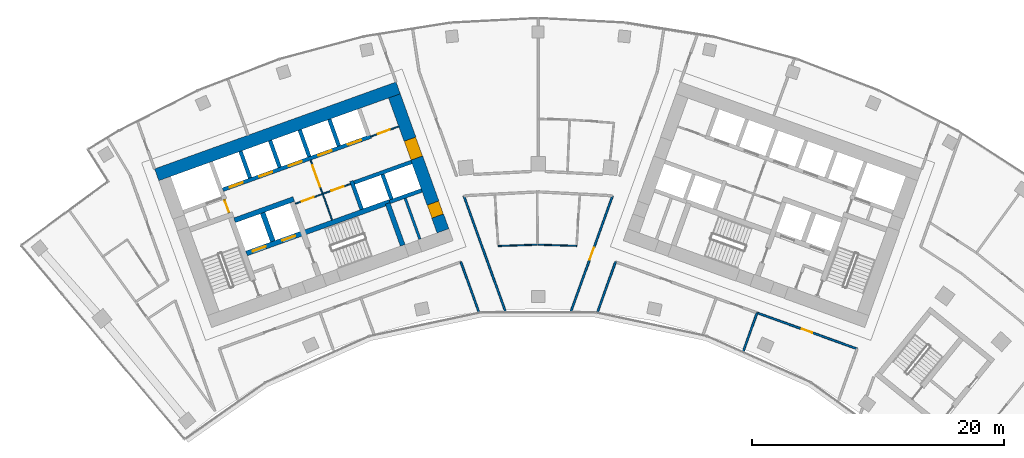
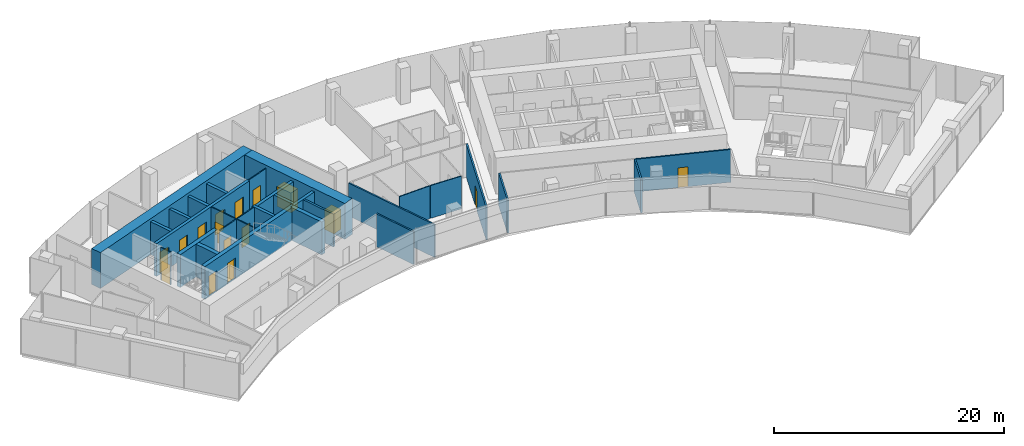
# One storey, part 11 of 16: 28 walls, 16 doors, 16 openings.
"""IFC4 building model written with IfcOpenShell, lengths in metres."""

from ifc_helpers import new_model, si_unit, direction, frame, frame_2d, origin, place, context, subcontext, project, spatial, rectangle, extrude, material, layer, layer_set, type_object, element, fill, save


model = new_model("IFC4")

# Units and contexts
model_context = context("Model", 3, precision=1e-05, world=origin(), true_north=direction((0.0, 1.0)))
body_context = subcontext(model_context, "Body", "Model", "MODEL_VIEW")
ifc_project = project(units=[si_unit("LENGTHUNIT", "METRE"), si_unit("AREAUNIT", "SQUARE_METRE"), si_unit("VOLUMEUNIT", "CUBIC_METRE"), si_unit("PLANEANGLEUNIT", "RADIAN"), si_unit("MASSUNIT", "GRAM", prefix="KILO")], contexts=[model_context])

# Site, building, storey
site_placement = place(None, origin())
site = spatial("IfcSite", under=ifc_project, at=site_placement, CompositionType="ELEMENT")
building_placement = place(site_placement, origin())
building = spatial("IfcBuilding", under=site, at=building_placement, Name="Stone Belt Terrace Tower", CompositionType="ELEMENT")
storey_placement = place(building_placement, frame((0.0, 0.0, 242.800048828125)))
storey = spatial("IfcBuildingStorey", under=building, at=storey_placement, Name="L59", CompositionType="ELEMENT", Elevation=242.800048828125)

# Wall, opening, door
ifc_material_1 = material(Name="Plasterboard partition")
ifc_layer_1 = layer(ifc_material_1, 0.10009765625)
ifc_layer_set_1 = layer_set([ifc_layer_1], Name="Core partition 100")
wall_type_1 = type_object("IfcWallType", Name="Core partition 100", PredefinedType="PARTITIONING", material=ifc_layer_set_1)
wall_1_placement = place(storey_placement, frame((-24.555908203125, 51.10400390625, 0.0), z_axis=(0.0, 0.0, 1.0), x_axis=(-0.338621735342, 0.94092258999, 0.0)))
wall_1 = element("IfcWall", 1, at=wall_1_placement, inside=storey, type_object=wall_type_1, Name="Core A wall", PredefinedType="PARTITIONING", context=body_context, shape_type="SweptSolid", body=[
    extrude(rectangle(XDim=1.14990234375, YDim=0.10009765625, at=frame_2d((0.574951171875, 0.0))), origin(), (0.0, 0.0, 1.0), 3.47998046875),
])
opening_1_placement = place(wall_1_placement, frame((0.050048828125, 0.0, 0.0)))
opening_1 = element("IfcOpeningElement", 2, at=opening_1_placement, cuts=wall_1, Name="Opening L59-C05", PredefinedType="OPENING", context=body_context, shape_type="SweptSolid", body=[
    extrude(rectangle(XDim=1.0, YDim=2.10009765625, at=frame_2d((0.5, 1.050048828125))), frame((0.0, 0.06005859375, 0.0), z_axis=(0.0, -1.0, 0.0), x_axis=(1.0, 0.0, 0.0)), (0.0, 0.0, 1.0), 0.1201171875),
])
ifc_material_2 = material(Name="Timber door leaf", Category="wood")
door_type_1 = type_object("IfcDoorType", Name="Core room door 1000", OperationType="SINGLE_SWING_LEFT", PredefinedType="DOOR", material=ifc_material_2)
door_1_placement = place(opening_1_placement, origin())
door_1 = element("IfcDoor", 3, at=door_1_placement, inside=storey, type_object=door_type_1, Name="Service lift lobby door core A", OperationType="SINGLE_SWING_LEFT", OverallHeight=2.10009765625, OverallWidth=1.0, PredefinedType="DOOR", context=body_context, shape_type="SweptSolid", body=[
    extrude(rectangle(XDim=1.0, YDim=2.10009765625, at=frame_2d((0.5, 1.050048828125))), frame((0.0, 0.02490234375, 0.0), z_axis=(0.0, -1.0, 0.0), x_axis=(1.0, 0.0, 0.0)), (0.0, 0.0, 1.0), 0.050048828125),
])
fill(opening_1, door_1)

# Wall, openings, doors
wall_2_placement = place(storey_placement, frame((-19.29052734375, 51.829833984375, 0.0), z_axis=(0.0, 0.0, 1.0), x_axis=(0.940930240745, 0.338600475563, 0.0)))
wall_2 = element("IfcWall", 4, at=wall_2_placement, inside=storey, type_object=wall_type_1, Name="Core A wall", PredefinedType="PARTITIONING", context=body_context, shape_type="SweptSolid", body=[
    extrude(rectangle(XDim=4.64990234375, YDim=0.10009765625, at=frame_2d((2.324951171875, 0.0))), origin(), (0.0, 0.0, 1.0), 3.47998046875),
])
opening_2_placement = place(wall_2_placement, frame((0.550048828125, 0.0, 0.0)))
opening_2 = element("IfcOpeningElement", 5, at=opening_2_placement, cuts=wall_2, Name="Opening L59-C02", PredefinedType="OPENING", context=body_context, shape_type="SweptSolid", body=[
    extrude(rectangle(XDim=1.0, YDim=2.10009765625, at=frame_2d((0.5, 1.050048828125))), frame((0.0, 0.06005859375, 0.0), z_axis=(0.0, -1.0, 0.0), x_axis=(1.0, 0.0, 0.0)), (0.0, 0.0, 1.0), 0.1201171875),
])
opening_3_placement = place(wall_2_placement, frame((3.050048828125, 0.0, 0.0)))
opening_3 = element("IfcOpeningElement", 6, at=opening_3_placement, cuts=wall_2, Name="Opening L59-C03", PredefinedType="OPENING", context=body_context, shape_type="SweptSolid", body=[
    extrude(rectangle(XDim=1.0, YDim=2.10009765625, at=frame_2d((0.5, 1.050048828125))), frame((0.0, 0.06005859375, 0.0), z_axis=(0.0, -1.0, 0.0), x_axis=(1.0, 0.0, 0.0)), (0.0, 0.0, 1.0), 0.1201171875),
])
door_2_placement = place(opening_2_placement, origin())
door_2 = element("IfcDoor", 7, at=door_2_placement, inside=storey, type_object=door_type_1, Name="Door to Print and copy room core A", OperationType="SINGLE_SWING_LEFT", OverallHeight=2.10009765625, OverallWidth=1.0, PredefinedType="DOOR", context=body_context, shape_type="SweptSolid", body=[
    extrude(rectangle(XDim=1.0, YDim=2.10009765625, at=frame_2d((0.5, 1.050048828125))), frame((0.0, 0.02490234375, 0.0), z_axis=(0.0, -1.0, 0.0), x_axis=(1.0, 0.0, 0.0)), (0.0, 0.0, 1.0), 0.050048828125),
])
fill(opening_2, door_2)
door_3_placement = place(opening_3_placement, origin())
door_3 = element("IfcDoor", 8, at=door_3_placement, inside=storey, type_object=door_type_1, Name="Door to Pantry core A", OperationType="SINGLE_SWING_RIGHT", OverallHeight=2.10009765625, OverallWidth=1.0, PredefinedType="DOOR", context=body_context, shape_type="SweptSolid", body=[
    extrude(rectangle(XDim=1.0, YDim=2.10009765625, at=frame_2d((0.5, 1.050048828125))), frame((0.0, 0.02490234375, 0.0), z_axis=(0.0, -1.0, 0.0), x_axis=(1.0, 0.0, 0.0)), (0.0, 0.0, 1.0), 0.050048828125),
])
fill(opening_3, door_3)

# Wall, opening, door
wall_3_placement = place(storey_placement, frame((-16.38134765625, 50.53857421875, 0.0), z_axis=(0.0, 0.0, 1.0), x_axis=(-0.33860476744, 0.940928696271, 0.0)))
wall_3 = element("IfcWall", 9, at=wall_3_placement, inside=storey, type_object=wall_type_1, Name="Core A wall", PredefinedType="PARTITIONING", context=body_context, shape_type="SweptSolid", body=[
    extrude(rectangle(XDim=5.050048828125, YDim=0.10009765625, at=frame_2d((2.52490234375, 0.0))), origin(), (0.0, 0.0, 1.0), 3.47998046875),
])
opening_4_placement = place(wall_3_placement, frame((2.800048828125, 0.0, 0.0)))
opening_4 = element("IfcOpeningElement", 10, at=opening_4_placement, cuts=wall_3, Name="Opening L59-C06", PredefinedType="OPENING", context=body_context, shape_type="SweptSolid", body=[
    extrude(rectangle(XDim=1.800048828125, YDim=2.10009765625, at=frame_2d((0.89990234375, 1.050048828125))), frame((0.0, 0.06005859375, 0.0), z_axis=(0.0, -1.0, 0.0), x_axis=(1.0, 0.0, 0.0)), (0.0, 0.0, 1.0), 0.1201171875),
])
ifc_material_3 = material(Name="Glazed aluminium door leaf", Category="aluminium")
door_type_2 = type_object("IfcDoorType", Name="Lift lobby entrance door 1800", OperationType="DOUBLE_DOOR_SINGLE_SWING", PredefinedType="DOOR", material=ifc_material_3)
door_4_placement = place(opening_4_placement, origin())
door_4 = element("IfcDoor", 11, at=door_4_placement, inside=storey, type_object=door_type_2, Name="Lift lobby double door core A", OperationType="DOUBLE_DOOR_SINGLE_SWING", OverallHeight=2.10009765625, OverallWidth=1.800048828125, PredefinedType="DOOR", context=body_context, shape_type="SweptSolid", body=[
    extrude(rectangle(XDim=1.800048828125, YDim=2.10009765625, at=frame_2d((0.89990234375, 1.050048828125))), frame((0.0, 0.02490234375, 0.0), z_axis=(0.0, -1.0, 0.0), x_axis=(1.0, 0.0, 0.0)), (0.0, 0.0, 1.0), 0.050048828125),
])
fill(opening_4, door_4)

wall_4_placement = place(storey_placement, frame((-13.29638671875, 57.17529296875, 0.0), z_axis=(0.0, 0.0, 1.0), x_axis=(0.940904627055, 0.338671644496, 0.0)))
wall_4 = element("IfcWall", 12, at=wall_4_placement, inside=storey, type_object=wall_type_1, Name="Core A wall", PredefinedType="PARTITIONING", context=body_context, shape_type="SweptSolid", body=[
    extrude(rectangle(XDim=2.35009765625, YDim=0.10009765625, at=frame_2d((1.175048828125, 0.0))), origin(), (0.0, 0.0, 1.0), 3.47998046875),
])
opening_5_placement = place(wall_4_placement, frame((0.60009765625, 0.0, 0.0)))
opening_5 = element("IfcOpeningElement", 13, at=opening_5_placement, cuts=wall_4, Name="Opening L59-C01", PredefinedType="OPENING", context=body_context, shape_type="SweptSolid", body=[
    extrude(rectangle(XDim=1.0, YDim=2.10009765625, at=frame_2d((0.5, 1.050048828125))), frame((0.0, 0.06005859375, 0.0), z_axis=(0.0, -1.0, 0.0), x_axis=(1.0, 0.0, 0.0)), (0.0, 0.0, 1.0), 0.1201171875),
])
door_5_placement = place(opening_5_placement, origin())
door_5 = element("IfcDoor", 14, at=door_5_placement, inside=storey, type_object=door_type_1, Name="Door to Communications hub room core A", OperationType="SINGLE_SWING_LEFT", OverallHeight=2.10009765625, OverallWidth=1.0, PredefinedType="DOOR", context=body_context, shape_type="SweptSolid", body=[
    extrude(rectangle(XDim=1.0, YDim=2.10009765625, at=frame_2d((0.5, 1.050048828125))), frame((0.0, 0.02490234375, 0.0), z_axis=(0.0, -1.0, 0.0), x_axis=(1.0, 0.0, 0.0)), (0.0, 0.0, 1.0), 0.050048828125),
])
fill(opening_5, door_5)

# Wall
ifc_material_4 = material(Name="Concrete B60", Category="concrete")
ifc_layer_2 = layer(ifc_material_4, 1.0)
ifc_layer_set_2 = layer_set([ifc_layer_2], Name="Core wall 1000 B60")
wall_type_2 = type_object("IfcWallType", Name="Core wall 1000 B60", PredefinedType="SHEAR", material=ifc_layer_set_2)
wall_5_placement = place(storey_placement, frame((-30.3212890625, 54.13037109375, 0.0), z_axis=(0.0, 0.0, 1.0), x_axis=(0.940921428504, 0.338624962727, 0.0)))
element("IfcWall", 15, at=wall_5_placement, inside=storey, type_object=wall_type_2, Name="Core A wall convex L59", PredefinedType="SHEAR", context=body_context, shape_type="SweptSolid", body=[
    extrude(rectangle(XDim=20.400146484375, YDim=1.0, at=frame_2d((10.2001953125, 0.0))), origin(), (0.0, 0.0, 1.0), 3.800048828125),
])

# Wall, openings, doors
wall_6_placement = place(storey_placement, frame((-7.567138671875, 49.672119140625, 0.0), z_axis=(0.0, 0.0, 1.0), x_axis=(-0.338625431531, 0.940921259788, 0.0)))
wall_6 = element("IfcWall", 16, at=wall_6_placement, inside=storey, type_object=wall_type_2, Name="Core A wall end_b L59", PredefinedType="SHEAR", context=body_context, shape_type="SweptSolid", body=[
    extrude(rectangle(XDim=11.400146484375, YDim=1.0, at=frame_2d((5.7001953125, 0.0))), origin(), (0.0, 0.0, 1.0), 3.800048828125),
])
opening_6_placement = place(wall_6_placement, frame((6.14990234375, 0.0, 0.0)))
opening_6 = element("IfcOpeningElement", 17, at=opening_6_placement, cuts=wall_6, Name="Opening L59-C07", PredefinedType="OPENING", context=body_context, shape_type="SweptSolid", body=[
    extrude(rectangle(XDim=1.60009765625, YDim=2.10009765625, at=frame_2d((0.800048828125, 1.050048828125))), frame((0.0, 0.510009765625, 0.0), z_axis=(0.0, -1.0, 0.0), x_axis=(1.0, 0.0, 0.0)), (0.0, 0.0, 1.0), 1.02001953125),
])
opening_7_placement = place(wall_6_placement, frame((1.25, 0.0, 0.0)))
opening_7 = element("IfcOpeningElement", 18, at=opening_7_placement, cuts=wall_6, Name="Opening L59-C13", PredefinedType="OPENING", context=body_context, shape_type="SweptSolid", body=[
    extrude(rectangle(XDim=1.10009765625, YDim=2.10009765625, at=frame_2d((0.550048828125, 1.050048828125))), frame((0.0, 0.510009765625, 0.0), z_axis=(0.0, -1.0, 0.0), x_axis=(1.0, 0.0, 0.0)), (0.0, 0.0, 1.0), 1.02001953125),
])
door_type_3 = type_object("IfcDoorType", Name="Core room door 1100", OperationType="SINGLE_SWING_LEFT", PredefinedType="DOOR", material=ifc_material_2)
door_6_placement = place(opening_7_placement, origin())
door_6 = element("IfcDoor", 19, at=door_6_placement, inside=storey, type_object=door_type_3, Name="Door to Cleaner's store core A", OperationType="SINGLE_SWING_RIGHT", OverallHeight=2.10009765625, OverallWidth=1.10009765625, PredefinedType="DOOR", context=body_context, shape_type="SweptSolid", body=[
    extrude(rectangle(XDim=1.10009765625, YDim=2.10009765625, at=frame_2d((0.550048828125, 1.050048828125))), frame((0.0, 0.47998046875, 0.0), z_axis=(0.0, -1.0, 0.0), x_axis=(1.0, 0.0, 0.0)), (0.0, 0.0, 1.0), 0.9599609375),
])
fill(opening_7, door_6)
door_type_4 = type_object("IfcDoorType", Name="Lift lobby entrance door 1600", OperationType="DOUBLE_DOOR_SINGLE_SWING", PredefinedType="DOOR", material=ifc_material_3)
door_7_placement = place(opening_6_placement, origin())
door_7 = element("IfcDoor", 20, at=door_7_placement, inside=storey, type_object=door_type_4, Name="Lift lobby entrance door core A", OperationType="DOUBLE_DOOR_SINGLE_SWING", OverallHeight=2.10009765625, OverallWidth=1.60009765625, PredefinedType="DOOR", context=body_context, shape_type="SweptSolid", body=[
    extrude(rectangle(XDim=1.60009765625, YDim=2.10009765625, at=frame_2d((0.800048828125, 1.050048828125))), frame((0.0, 0.47998046875, 0.0), z_axis=(0.0, -1.0, 0.0), x_axis=(1.0, 0.0, 0.0)), (0.0, 0.0, 1.0), 0.9599609375),
])
fill(opening_6, door_7)

# Walls
ifc_material_5 = material(Name="Concrete B80", Category="concrete")
ifc_layer_3 = layer(ifc_material_5, 0.39990234375)
ifc_layer_set_3 = layer_set([ifc_layer_3], Name="Fire-fighting lift shaft wall 400")
wall_type_3 = type_object("IfcWallType", Name="Fire-fighting lift shaft wall 400", PredefinedType="SHEAR", material=ifc_layer_set_3)
wall_7_placement = place(storey_placement, frame((-24.130615234375, 50.512939453125, 0.0), z_axis=(0.0, 0.0, 1.0), x_axis=(0.94091168377, 0.338652038744, 0.0)))
element("IfcWall", 21, at=wall_7_placement, inside=storey, type_object=wall_type_3, Name="Core A wall", PredefinedType="SHEAR", context=body_context, shape_type="SweptSolid", body=[
    extrude(rectangle(XDim=5.000244140625, YDim=0.39990234375, at=frame_2d((2.5, 0.0))), origin(), (0.0, 0.0, 1.0), 3.47998046875),
])
wall_8_placement = place(storey_placement, frame((-21.0859375, 48.845458984375, 0.0), z_axis=(0.0, 0.0, 1.0), x_axis=(-0.338629416206, 0.940919825745, 0.0)))
element("IfcWall", 22, at=wall_8_placement, inside=storey, type_object=wall_type_3, Name="Core A wall", PredefinedType="SHEAR", context=body_context, shape_type="SweptSolid", body=[
    extrude(rectangle(XDim=2.400146484375, YDim=0.39990234375, at=frame_2d((1.2001953125, 0.0))), origin(), (0.0, 0.0, 1.0), 3.47998046875),
])

# Wall, openings, doors
ifc_layer_4 = layer(ifc_material_5, 0.300048828125)
ifc_layer_set_4 = layer_set([ifc_layer_4], Name="Lift shaft wall 300")
wall_type_4 = type_object("IfcWallType", Name="Lift shaft wall 300", PredefinedType="SHEAR", material=ifc_layer_set_4)
wall_9_placement = place(storey_placement, frame((-25.05810546875, 52.9423828125, 0.0), z_axis=(0.0, 0.0, 1.0), x_axis=(0.940920770291, 0.338626791666, 0.0)))
wall_9 = element("IfcWall", 23, at=wall_9_placement, inside=storey, type_object=wall_type_4, Name="Core A wall", PredefinedType="SHEAR", context=body_context, shape_type="SweptSolid", body=[
    extrude(rectangle(XDim=12.500244140625, YDim=0.300048828125, at=frame_2d((6.25, 0.0))), origin(), (0.0, 0.0, 1.0), 3.47998046875),
])
opening_8_placement = place(wall_9_placement, frame((0.570068359375, 0.0, 0.0)))
opening_8 = element("IfcOpeningElement", 24, at=opening_8_placement, cuts=wall_9, Name="Opening L59-LD01", PredefinedType="OPENING", context=body_context, shape_type="SweptSolid", body=[
    extrude(rectangle(XDim=1.10009765625, YDim=2.199951171875, at=frame_2d((0.550048828125, 1.10009765625))), frame((0.0, 0.159912109375, 0.0), z_axis=(0.0, -1.0, 0.0), x_axis=(1.0, 0.0, 0.0)), (0.0, 0.0, 1.0), 0.320068359375),
])
opening_9_placement = place(wall_9_placement, frame((3.070068359375, 0.0, 0.0)))
opening_9 = element("IfcOpeningElement", 25, at=opening_9_placement, cuts=wall_9, Name="Opening L59-LD02", PredefinedType="OPENING", context=body_context, shape_type="SweptSolid", body=[
    extrude(rectangle(XDim=1.10009765625, YDim=2.199951171875, at=frame_2d((0.550048828125, 1.10009765625))), frame((0.0, 0.159912109375, 0.0), z_axis=(0.0, -1.0, 0.0), x_axis=(1.0, 0.0, 0.0)), (0.0, 0.0, 1.0), 0.320068359375),
])
opening_10_placement = place(wall_9_placement, frame((5.570068359375, 0.0, 0.0)))
opening_10 = element("IfcOpeningElement", 26, at=opening_10_placement, cuts=wall_9, Name="Opening L59-LD03", PredefinedType="OPENING", context=body_context, shape_type="SweptSolid", body=[
    extrude(rectangle(XDim=1.10009765625, YDim=2.199951171875, at=frame_2d((0.550048828125, 1.10009765625))), frame((0.0, 0.159912109375, 0.0), z_axis=(0.0, -1.0, 0.0), x_axis=(1.0, 0.0, 0.0)), (0.0, 0.0, 1.0), 0.320068359375),
])
opening_11_placement = place(wall_9_placement, frame((8.070068359375, 0.0, 0.0)))
opening_11 = element("IfcOpeningElement", 27, at=opening_11_placement, cuts=wall_9, Name="Opening L59-LD04", PredefinedType="OPENING", context=body_context, shape_type="SweptSolid", body=[
    extrude(rectangle(XDim=1.10009765625, YDim=2.199951171875, at=frame_2d((0.550048828125, 1.10009765625))), frame((0.0, 0.159912109375, 0.0), z_axis=(0.0, -1.0, 0.0), x_axis=(1.0, 0.0, 0.0)), (0.0, 0.0, 1.0), 0.320068359375),
])
opening_12_placement = place(wall_9_placement, frame((10.570068359375, 0.0, 0.0)))
opening_12 = element("IfcOpeningElement", 28, at=opening_12_placement, cuts=wall_9, Name="Opening L59-LD05", PredefinedType="OPENING", context=body_context, shape_type="SweptSolid", body=[
    extrude(rectangle(XDim=1.10009765625, YDim=2.199951171875, at=frame_2d((0.550048828125, 1.10009765625))), frame((0.0, 0.159912109375, 0.0), z_axis=(0.0, -1.0, 0.0), x_axis=(1.0, 0.0, 0.0)), (0.0, 0.0, 1.0), 0.320068359375),
])
ifc_material_6 = material(Name="Stainless steel door leaf", Category="steel")
door_type_5 = type_object("IfcDoorType", Name="Landing door 1100", OperationType="SLIDING_TO_LEFT", PredefinedType="DOOR", material=ifc_material_6)
door_8_placement = place(opening_8_placement, origin())
door_8 = element("IfcDoor", 29, at=door_8_placement, inside=storey, type_object=door_type_5, Name="Landing door MR1 core A", OperationType="SLIDING_TO_LEFT", OverallHeight=2.199951171875, OverallWidth=1.10009765625, PredefinedType="DOOR", context=body_context, shape_type="SweptSolid", body=[
    extrude(rectangle(XDim=1.10009765625, YDim=2.199951171875, at=frame_2d((0.550048828125, 1.10009765625))), frame((0.0, 0.02490234375, 0.0), z_axis=(0.0, -1.0, 0.0), x_axis=(1.0, 0.0, 0.0)), (0.0, 0.0, 1.0), 0.050048828125),
])
fill(opening_8, door_8)
door_9_placement = place(opening_9_placement, origin())
door_9 = element("IfcDoor", 30, at=door_9_placement, inside=storey, type_object=door_type_5, Name="Landing door MR2 core A", OperationType="SLIDING_TO_LEFT", OverallHeight=2.199951171875, OverallWidth=1.10009765625, PredefinedType="DOOR", context=body_context, shape_type="SweptSolid", body=[
    extrude(rectangle(XDim=1.10009765625, YDim=2.199951171875, at=frame_2d((0.550048828125, 1.10009765625))), frame((0.0, 0.02490234375, 0.0), z_axis=(0.0, -1.0, 0.0), x_axis=(1.0, 0.0, 0.0)), (0.0, 0.0, 1.0), 0.050048828125),
])
fill(opening_9, door_9)
door_10_placement = place(opening_10_placement, origin())
door_10 = element("IfcDoor", 31, at=door_10_placement, inside=storey, type_object=door_type_5, Name="Landing door MR3 core A", OperationType="SLIDING_TO_LEFT", OverallHeight=2.199951171875, OverallWidth=1.10009765625, PredefinedType="DOOR", context=body_context, shape_type="SweptSolid", body=[
    extrude(rectangle(XDim=1.10009765625, YDim=2.199951171875, at=frame_2d((0.550048828125, 1.10009765625))), frame((0.0, 0.02490234375, 0.0), z_axis=(0.0, -1.0, 0.0), x_axis=(1.0, 0.0, 0.0)), (0.0, 0.0, 1.0), 0.050048828125),
])
fill(opening_10, door_10)
door_11_placement = place(opening_11_placement, origin())
door_11 = element("IfcDoor", 32, at=door_11_placement, inside=storey, type_object=door_type_5, Name="Landing door MR4 core A", OperationType="SLIDING_TO_LEFT", OverallHeight=2.199951171875, OverallWidth=1.10009765625, PredefinedType="DOOR", context=body_context, shape_type="SweptSolid", body=[
    extrude(rectangle(XDim=1.10009765625, YDim=2.199951171875, at=frame_2d((0.550048828125, 1.10009765625))), frame((0.0, 0.02490234375, 0.0), z_axis=(0.0, -1.0, 0.0), x_axis=(1.0, 0.0, 0.0)), (0.0, 0.0, 1.0), 0.050048828125),
])
fill(opening_11, door_11)
door_12_placement = place(opening_12_placement, origin())
door_12 = element("IfcDoor", 33, at=door_12_placement, inside=storey, type_object=door_type_5, Name="Landing door MR5 core A", OperationType="SLIDING_TO_LEFT", OverallHeight=2.199951171875, OverallWidth=1.10009765625, PredefinedType="DOOR", context=body_context, shape_type="SweptSolid", body=[
    extrude(rectangle(XDim=1.10009765625, YDim=2.199951171875, at=frame_2d((0.550048828125, 1.10009765625))), frame((0.0, 0.02490234375, 0.0), z_axis=(0.0, -1.0, 0.0), x_axis=(1.0, 0.0, 0.0)), (0.0, 0.0, 1.0), 0.050048828125),
])
fill(opening_12, door_12)

# Walls
wall_10_placement = place(storey_placement, frame((-22.897705078125, 53.87939453125, 0.0), z_axis=(0.0, 0.0, 1.0), x_axis=(-0.338535034312, 0.940953787677, 0.0)))
element("IfcWall", 34, at=wall_10_placement, inside=storey, type_object=wall_type_4, Name="Core A wall", PredefinedType="SHEAR", context=body_context, shape_type="SweptSolid", body=[
    extrude(rectangle(XDim=2.25, YDim=0.300048828125, at=frame_2d((1.125, 0.0))), origin(), (0.0, 0.0, 1.0), 3.47998046875),
])
wall_11_placement = place(storey_placement, frame((-20.54541015625, 54.72607421875, 0.0), z_axis=(0.0, 0.0, 1.0), x_axis=(-0.338569601369, 0.940941350472, 0.0)))
element("IfcWall", 35, at=wall_11_placement, inside=storey, type_object=wall_type_4, Name="Core A wall", PredefinedType="SHEAR", context=body_context, shape_type="SweptSolid", body=[
    extrude(rectangle(XDim=2.249755859375, YDim=0.300048828125, at=frame_2d((1.125, 0.0))), origin(), (0.0, 0.0, 1.0), 3.47998046875),
])
wall_12_placement = place(storey_placement, frame((-18.193115234375, 55.572509765625, 0.0), z_axis=(0.0, 0.0, 1.0), x_axis=(-0.338535034312, 0.940953787677, 0.0)))
element("IfcWall", 36, at=wall_12_placement, inside=storey, type_object=wall_type_4, Name="Core A wall", PredefinedType="SHEAR", context=body_context, shape_type="SweptSolid", body=[
    extrude(rectangle(XDim=2.25, YDim=0.300048828125, at=frame_2d((1.125, 0.0))), origin(), (0.0, 0.0, 1.0), 3.47998046875),
])
wall_13_placement = place(storey_placement, frame((-14.029052734375, 51.38525390625, 0.0), z_axis=(0.0, 0.0, 1.0), x_axis=(-0.338661829791, 0.940908159728, 0.0)))
element("IfcWall", 37, at=wall_13_placement, inside=storey, type_object=wall_type_4, Name="Core A wall", PredefinedType="SHEAR", context=body_context, shape_type="SweptSolid", body=[
    extrude(rectangle(XDim=2.39990234375, YDim=0.300048828125, at=frame_2d((1.199951171875, 0.0))), origin(), (0.0, 0.0, 1.0), 3.47998046875),
])
wall_14_placement = place(storey_placement, frame((-14.6328125, 53.506103515625, 0.0), z_axis=(0.0, 0.0, 1.0), x_axis=(0.940931684323, 0.338596464007, 0.0)))
element("IfcWall", 38, at=wall_14_placement, inside=storey, type_object=wall_type_4, Name="Core A wall", PredefinedType="SHEAR", context=body_context, shape_type="SweptSolid", body=[
    extrude(rectangle(XDim=4.849609375, YDim=0.300048828125, at=frame_2d((2.4248046875, 0.0))), origin(), (0.0, 0.0, 1.0), 3.47998046875),
])
wall_15_placement = place(storey_placement, frame((-15.8408203125, 56.419189453125, 0.0), z_axis=(0.0, 0.0, 1.0), x_axis=(-0.338569601369, 0.940941350472, 0.0)))
element("IfcWall", 39, at=wall_15_placement, inside=storey, type_object=wall_type_4, Name="Core A wall", PredefinedType="SHEAR", context=body_context, shape_type="SweptSolid", body=[
    extrude(rectangle(XDim=2.249755859375, YDim=0.300048828125, at=frame_2d((1.125, 0.0))), origin(), (0.0, 0.0, 1.0), 3.47998046875),
])
wall_16_placement = place(storey_placement, frame((-11.797119140625, 51.975830078125, 0.0), z_axis=(0.0, 0.0, 1.0), x_axis=(0.940910465161, 0.33865542451, 0.0)))
element("IfcWall", 40, at=wall_16_placement, inside=storey, type_object=wall_type_4, Name="Core A wall", PredefinedType="SHEAR", context=body_context, shape_type="SweptSolid", body=[
    extrude(rectangle(XDim=2.69970703125, YDim=0.300048828125, at=frame_2d((1.349853515625, 0.0))), origin(), (0.0, 0.0, 1.0), 3.47998046875),
])
wall_17_placement = place(storey_placement, frame((-11.659912109375, 52.184814453125, 0.0), z_axis=(0.0, 0.0, 1.0), x_axis=(-0.338670064856, 0.940905195634, 0.0)))
element("IfcWall", 41, at=wall_17_placement, inside=storey, type_object=wall_type_4, Name="Core A wall", PredefinedType="SHEAR", context=body_context, shape_type="SweptSolid", body=[
    extrude(rectangle(XDim=2.099853515625, YDim=0.300048828125, at=frame_2d((1.0498046875, 0.0))), origin(), (0.0, 0.0, 1.0), 3.47998046875),
])
ifc_material_7 = material(Name="Gypsum board partition")
ifc_layer_5 = layer(ifc_material_7, 0.10009765625)
ifc_layer_set_5 = layer_set([ifc_layer_5], Name="PARTITION 100")
wall_type_5 = type_object("IfcWallType", Name="PARTITION 100", PredefinedType="PARTITIONING", material=ifc_layer_set_5)
wall_18_placement = place(storey_placement, frame((-3.176025390625, 48.470947265625, 0.0), z_axis=(0.0, 0.0, 1.0), x_axis=(0.999442381291, 0.033390514817, 0.0)))
element("IfcWall", 42, at=wall_18_placement, inside=storey, type_object=wall_type_5, Name="L59/wall/i072", PredefinedType="PARTITIONING", context=body_context, shape_type="SweptSolid", body=[
    extrude(rectangle(XDim=3.11474609375, YDim=0.10009765625, at=frame_2d((1.557373046875, 0.0))), origin(), (0.0, 0.0, 1.0), 3.47998046875),
])
wall_19_placement = place(storey_placement, frame((0.0, 48.574951171875, 0.0), z_axis=(0.0, 0.0, 1.0), x_axis=(0.999505892336, -0.031432008937, 0.0)))
element("IfcWall", 43, at=wall_19_placement, inside=storey, type_object=wall_type_5, Name="L59/wall/i073", PredefinedType="PARTITIONING", context=body_context, shape_type="SweptSolid", body=[
    extrude(rectangle(XDim=3.052490234375, YDim=0.10009765625, at=frame_2d((1.5263671875, 0.0))), origin(), (0.0, 0.0, 1.0), 3.47998046875),
])
ifc_layer_6 = layer(ifc_material_7, 0.14990234375)
ifc_layer_set_6 = layer_set([ifc_layer_6], Name="PARTITION 150 EI 60")
wall_type_6 = type_object("IfcWallType", Name="PARTITION 150 EI 60", PredefinedType="PARTITIONING", material=ifc_layer_set_6)
wall_20_placement = place(storey_placement, frame((-4.71923828125, 43.23681640625, 0.0), z_axis=(0.0, 0.0, 1.0), x_axis=(-0.338568067537, 0.940941902374, 0.0)))
element("IfcWall", 44, at=wall_20_placement, inside=storey, type_object=wall_type_6, Name="L59/wall/i006", PredefinedType="PARTITIONING", context=body_context, shape_type="SweptSolid", body=[
    extrude(rectangle(XDim=4.2255859375, YDim=0.14990234375, at=frame_2d((2.11279296875, 0.0))), origin(), (0.0, 0.0, 1.0), 3.47998046875),
])
wall_21_placement = place(storey_placement, frame((-5.906005859375, 52.44091796875, 0.0), z_axis=(0.0, 0.0, 1.0), x_axis=(0.338646800778, -0.940913568997, 0.0)))
element("IfcWall", 45, at=wall_21_placement, inside=storey, type_object=wall_type_6, Name="L59/wall/i008", PredefinedType="PARTITIONING", context=body_context, shape_type="SweptSolid", body=[
    extrude(rectangle(XDim=9.755615234375, YDim=0.14990234375, at=frame_2d((4.8779296875, 0.0))), origin(), (0.0, 0.0, 1.0), 3.47998046875),
])
wall_22_placement = place(storey_placement, frame((6.14990234375, 47.212890625, 0.0), z_axis=(0.0, 0.0, 1.0), x_axis=(-0.338568067537, -0.940941902374, 0.0)))
element("IfcWall", 46, at=wall_22_placement, inside=storey, type_object=wall_type_6, Name="L59/wall/i017", PredefinedType="PARTITIONING", context=body_context, shape_type="SweptSolid", body=[
    extrude(rectangle(XDim=4.2255859375, YDim=0.14990234375, at=frame_2d((2.11279296875, 0.0))), origin(), (0.0, 0.0, 1.0), 3.47998046875),
])

# Wall, opening, door
wall_23_placement = place(storey_placement, frame((2.602294921875, 43.26171875, 0.0), z_axis=(0.0, 0.0, 1.0), x_axis=(0.338646800778, 0.940913568997, 0.0)))
wall_23 = element("IfcWall", 47, at=wall_23_placement, inside=storey, type_object=wall_type_6, Name="L59/wall/i019", PredefinedType="PARTITIONING", context=body_context, shape_type="SweptSolid", body=[
    extrude(rectangle(XDim=9.755615234375, YDim=0.14990234375, at=frame_2d((4.8779296875, 0.0))), origin(), (0.0, 0.0, 1.0), 3.47998046875),
])
opening_13_placement = place(wall_23_placement, frame((4.3779296875, 0.0, 0.0)))
opening_13 = element("IfcOpeningElement", 48, at=opening_13_placement, cuts=wall_23, Name="Opening D-D5b-21", PredefinedType="OPENING", context=body_context, shape_type="SweptSolid", body=[
    extrude(rectangle(XDim=1.0, YDim=2.10009765625, at=frame_2d((0.5, 1.050048828125))), frame((0.0, 0.0849609375, 0.0), z_axis=(0.0, -1.0, 0.0), x_axis=(1.0, 0.0, 0.0)), (0.0, 0.0, 1.0), 0.169921875),
])
ifc_material_8 = material(Name="Timber fire door leaf", Category="wood")
door_type_6 = type_object("IfcDoorType", Name="TENANCY ENTRANCE DOOR 1000 X 2100", OperationType="NOTDEFINED", PredefinedType="DOOR", material=ifc_material_8)
door_13_placement = place(opening_13_placement, origin())
door_13 = element("IfcDoor", 49, at=door_13_placement, inside=storey, type_object=door_type_6, Name="L59/door/i21", OperationType="SINGLE_SWING_LEFT", OverallHeight=2.10009765625, OverallWidth=1.0, PredefinedType="DOOR", context=body_context, shape_type="SweptSolid", body=[
    extrude(rectangle(XDim=1.0, YDim=2.10009765625, at=frame_2d((0.5, 1.050048828125))), frame((0.0, 0.02490234375, 0.0), z_axis=(0.0, -1.0, 0.0), x_axis=(1.0, 0.0, 0.0)), (0.0, 0.0, 1.0), 0.050048828125),
])
fill(opening_13, door_13)

wall_24_placement = place(storey_placement, frame((25.343017578125, 40.299072265625, 0.0), z_axis=(0.0, 0.0, 1.0), x_axis=(-0.940943751602, 0.338562928156, 0.0)))
wall_24 = element("IfcWall", 50, at=wall_24_placement, inside=storey, type_object=wall_type_6, Name="L59/wall/i030", PredefinedType="PARTITIONING", context=body_context, shape_type="SweptSolid", body=[
    extrude(rectangle(XDim=8.449951171875, YDim=0.14990234375, at=frame_2d((4.22509765625, 0.0))), origin(), (0.0, 0.0, 1.0), 3.47998046875),
])
opening_14_placement = place(wall_24_placement, frame((3.775146484375, 0.0, 0.0)))
opening_14 = element("IfcOpeningElement", 51, at=opening_14_placement, cuts=wall_24, Name="Opening D-D5b-08", PredefinedType="OPENING", context=body_context, shape_type="SweptSolid", body=[
    extrude(rectangle(XDim=0.89990234375, YDim=2.10009765625, at=frame_2d((0.449951171875, 1.050048828125))), frame((0.0, 0.0849609375, 0.0), z_axis=(0.0, -1.0, 0.0), x_axis=(1.0, 0.0, 0.0)), (0.0, 0.0, 1.0), 0.169921875),
])
door_type_7 = type_object("IfcDoorType", Name="OFFICE DOOR 900 X 2100", OperationType="NOTDEFINED", PredefinedType="DOOR", material=ifc_material_2)
door_14_placement = place(opening_14_placement, origin())
door_14 = element("IfcDoor", 52, at=door_14_placement, inside=storey, type_object=door_type_7, Name="L59/door/i08", OperationType="SINGLE_SWING_LEFT", OverallHeight=2.10009765625, OverallWidth=0.89990234375, PredefinedType="DOOR", context=body_context, shape_type="SweptSolid", body=[
    extrude(rectangle(XDim=0.89990234375, YDim=2.10009765625, at=frame_2d((0.449951171875, 1.050048828125))), frame((0.0, 0.02490234375, 0.0), z_axis=(0.0, -1.0, 0.0), x_axis=(1.0, 0.0, 0.0)), (0.0, 0.0, 1.0), 0.050048828125),
])
fill(opening_14, door_14)

# Walls
wall_25_placement = place(storey_placement, frame((17.39794921875, 43.157958984375, 0.0), z_axis=(0.0, 0.0, 1.0), x_axis=(-0.338538592719, -0.940952507431, 0.0)))
element("IfcWall", 53, at=wall_25_placement, inside=storey, type_object=wall_type_6, Name="L59/wall/i032", PredefinedType="PARTITIONING", context=body_context, shape_type="SweptSolid", body=[
    extrude(rectangle(XDim=3.250244140625, YDim=0.14990234375, at=frame_2d((1.625, 0.0))), origin(), (0.0, 0.0, 1.0), 3.47998046875),
])
ifc_material_9 = material(Name="Concrete masonry block", Category="masonry")
ifc_layer_7 = layer(ifc_material_9, 0.199951171875)
ifc_layer_set_7 = layer_set([ifc_layer_7], Name="Rated lobby wall 200")
wall_type_7 = type_object("IfcWallType", Name="Rated lobby wall 200", PredefinedType="PARTITIONING", material=ifc_layer_set_7)
wall_26_placement = place(storey_placement, frame((-9.402099609375, 49.01171875, 0.0), z_axis=(0.0, 0.0, 1.0), x_axis=(-0.338599189079, 0.940930703695, 0.0)))
element("IfcWall", 54, at=wall_26_placement, inside=storey, type_object=wall_type_7, Name="Core A wall", PredefinedType="PARTITIONING", context=body_context, shape_type="SweptSolid", body=[
    extrude(rectangle(XDim=3.4501953125, YDim=0.199951171875, at=frame_2d((1.72509765625, 0.0))), origin(), (0.0, 0.0, 1.0), 3.47998046875),
])

# Wall, openings, doors
ifc_layer_8 = layer(ifc_material_5, 0.39990234375)
ifc_layer_set_8 = layer_set([ifc_layer_8], Name="Stair enclosure wall 400")
wall_type_8 = type_object("IfcWallType", Name="Stair enclosure wall 400", PredefinedType="SHEAR", material=ifc_layer_set_8)
wall_27_placement = place(storey_placement, frame((-23.182373046875, 47.87841796875, 0.0), z_axis=(0.0, 0.0, 1.0), x_axis=(0.940921101762, 0.338625870628, 0.0)))
wall_27 = element("IfcWall", 55, at=wall_27_placement, inside=storey, type_object=wall_type_8, Name="Core A wall", PredefinedType="SHEAR", context=body_context, shape_type="SweptSolid", body=[
    extrude(rectangle(XDim=12.10009765625, YDim=0.39990234375, at=frame_2d((6.050048828125, 0.0))), origin(), (0.0, 0.0, 1.0), 3.47998046875),
])
opening_15_placement = place(wall_27_placement, frame((0.52001953125, 0.0, 0.0)))
opening_15 = element("IfcOpeningElement", 56, at=opening_15_placement, cuts=wall_27, Name="Opening L59-LD06", PredefinedType="OPENING", context=body_context, shape_type="SweptSolid", body=[
    extrude(rectangle(XDim=1.10009765625, YDim=2.199951171875, at=frame_2d((0.550048828125, 1.10009765625))), frame((0.0, 0.2099609375, 0.0), z_axis=(0.0, -1.0, 0.0), x_axis=(1.0, 0.0, 0.0)), (0.0, 0.0, 1.0), 0.419921875),
])
opening_16_placement = place(wall_27_placement, frame((3.02001953125, 0.0, 0.0)))
opening_16 = element("IfcOpeningElement", 57, at=opening_16_placement, cuts=wall_27, Name="Opening L59-LD07", PredefinedType="OPENING", context=body_context, shape_type="SweptSolid", body=[
    extrude(rectangle(XDim=1.10009765625, YDim=2.199951171875, at=frame_2d((0.550048828125, 1.10009765625))), frame((0.0, 0.2099609375, 0.0), z_axis=(0.0, -1.0, 0.0), x_axis=(1.0, 0.0, 0.0)), (0.0, 0.0, 1.0), 0.419921875),
])
door_15_placement = place(opening_15_placement, origin())
door_15 = element("IfcDoor", 58, at=door_15_placement, inside=storey, type_object=door_type_5, Name="Landing door FF1 core A", OperationType="SLIDING_TO_LEFT", OverallHeight=2.199951171875, OverallWidth=1.10009765625, PredefinedType="DOOR", context=body_context, shape_type="SweptSolid", body=[
    extrude(rectangle(XDim=1.10009765625, YDim=2.199951171875, at=frame_2d((0.550048828125, 1.10009765625))), frame((0.0, 0.02490234375, 0.0), z_axis=(0.0, -1.0, 0.0), x_axis=(1.0, 0.0, 0.0)), (0.0, 0.0, 1.0), 0.050048828125),
])
fill(opening_15, door_15)
door_16_placement = place(opening_16_placement, origin())
door_16 = element("IfcDoor", 59, at=door_16_placement, inside=storey, type_object=door_type_5, Name="Landing door FF2 core A", OperationType="SLIDING_TO_LEFT", OverallHeight=2.199951171875, OverallWidth=1.10009765625, PredefinedType="DOOR", context=body_context, shape_type="SweptSolid", body=[
    extrude(rectangle(XDim=1.10009765625, YDim=2.199951171875, at=frame_2d((0.550048828125, 1.10009765625))), frame((0.0, 0.02490234375, 0.0), z_axis=(0.0, -1.0, 0.0), x_axis=(1.0, 0.0, 0.0)), (0.0, 0.0, 1.0), 0.050048828125),
])
fill(opening_16, door_16)

# Wall
wall_28_placement = place(storey_placement, frame((-10.766357421875, 48.520751953125, 0.0), z_axis=(0.0, 0.0, 1.0), x_axis=(-0.338626928157, 0.94092072117, 0.0)))
element("IfcWall", 60, at=wall_28_placement, inside=storey, type_object=wall_type_8, Name="Core A wall", PredefinedType="SHEAR", context=body_context, shape_type="SweptSolid", body=[
    extrude(rectangle(XDim=3.550048828125, YDim=0.39990234375, at=frame_2d((1.77490234375, 0.0))), origin(), (0.0, 0.0, 1.0), 3.47998046875),
])

save(model, "model.ifc")
